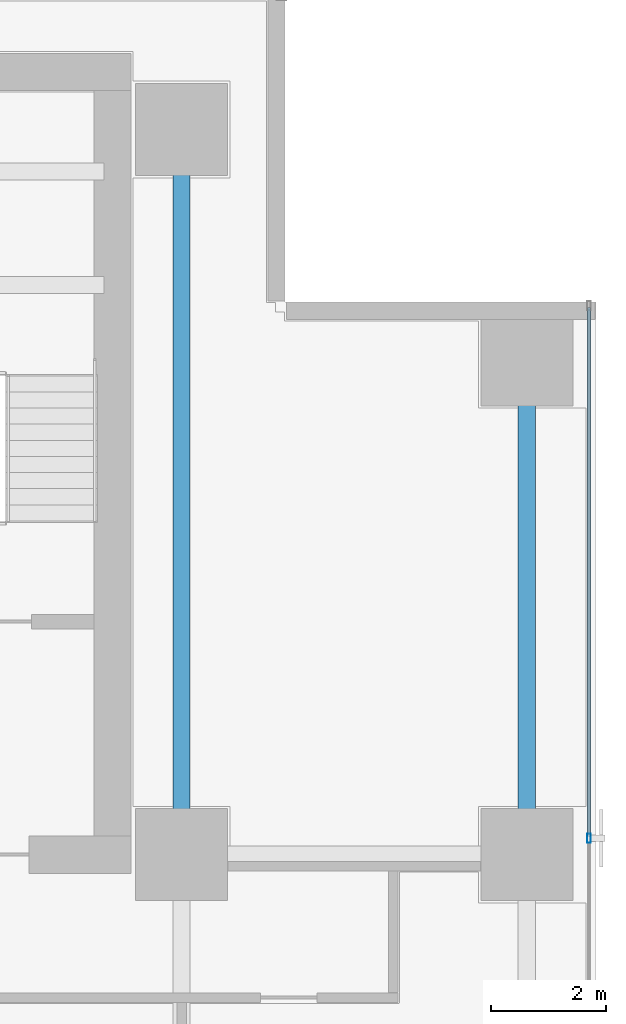
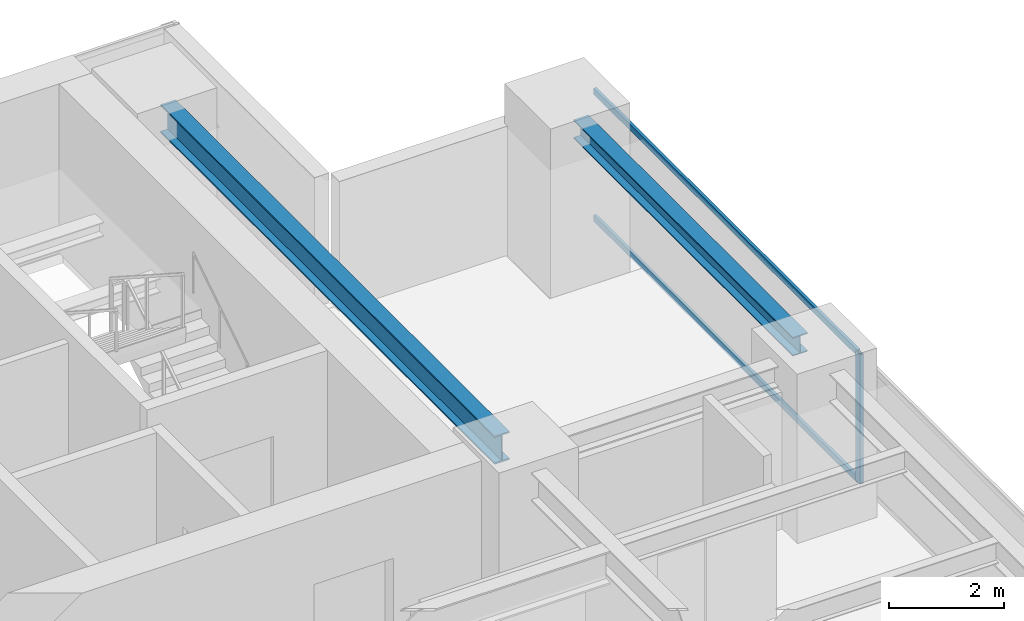
# One storey, part 18 of 27: 3 members, 2 beams, 1 element without a shape of its own.
"""IFC4 building model written with IfcOpenShell, lengths in metres."""

from ifc_helpers import new_model, si_unit, direction, frame, origin, origin_2d, place, context, subcontext, project, spatial, hollow_rectangle, i_section, extrude, source, transform, mapped, material, layer, layer_set, material_profile, profile_set, type_object, element, aggregate, save


model = new_model("IFC4")

# Units and contexts
model_context = context("Model", 3, precision=1e-05, world=origin(), true_north=direction((0.0, 1.0)))
body_context = subcontext(model_context, "Body", "Model", "MODEL_VIEW")
ifc_project = project(units=[si_unit("LENGTHUNIT", "METRE"), si_unit("AREAUNIT", "SQUARE_METRE"), si_unit("VOLUMEUNIT", "CUBIC_METRE"), si_unit("PLANEANGLEUNIT", "RADIAN"), si_unit("MASSUNIT", "GRAM", prefix="KILO")], contexts=[model_context])

# Site, building, storey
site_placement = place(None, origin())
site = spatial("IfcSite", under=ifc_project, at=site_placement, CompositionType="ELEMENT")
building_placement = place(site_placement, origin())
building = spatial("IfcBuilding", under=site, at=building_placement, Name="Sumidabori Civic Tower", CompositionType="ELEMENT")
storey_placement = place(building_placement, frame((0.0, 0.0, 160.39990234375)))
storey = spatial("IfcBuildingStorey", under=building, at=storey_placement, Name="L41", CompositionType="ELEMENT", Elevation=160.39990234375)

# Beams
ifc_material_1 = material(Name="Steel SN490", Category="steel")
ifc_material_profile_1 = material_profile(ifc_material_1, i_section(OverallWidth=0.300048828125, OverallDepth=0.39990234375, WebThickness=0.013427734375, FlangeThickness=0.02392578125, at=origin_2d()), Name="HE 400 B")
ifc_profile_set_1 = profile_set([ifc_material_profile_1], Name="Steel SN490")
beam_type_1 = type_object("IfcBeamType", Name="BM-GIRD-400", PredefinedType="BEAM", material=ifc_profile_set_1)
shared_shape_1 = source(origin(), body_context, "Body", "SweptSolid", [
    extrude(i_section(OverallWidth=0.300048828125, OverallDepth=0.39990234375, WebThickness=0.013427734375, FlangeThickness=0.02392578125, at=origin_2d()), origin(), (0.0, 0.0, 1.0), 7.64013671875),
])
beam_1_placement = place(storey_placement, frame((22.800048828125, 10.679931640625, 3.18017578125), z_axis=(0.0, 1.0, 0.0), x_axis=(-1.0, 0.0, 0.0)))
element("IfcBeam", 1, at=beam_1_placement, inside=storey, type_object=beam_type_1, Name="Primary Girder L41 GY-38", PredefinedType="BEAM", context=body_context, shape_type="MappedRepresentation", body=[
    mapped(shared_shape_1, transform((0.0, 0.0, 0.0), x_axis=(1.0, 0.0, 0.0), y_axis=(0.0, 1.0, 0.0), z_axis=(0.0, 0.0, 1.0), scale=1.0)),
])
ifc_material_profile_2 = material_profile(ifc_material_1, i_section(OverallWidth=0.300048828125, OverallDepth=0.60009765625, WebThickness=0.015380859375, FlangeThickness=0.030029296875, at=origin_2d()), Name="HE 600 B")
ifc_profile_set_2 = profile_set([ifc_material_profile_2], Name="Steel SN490")
beam_type_2 = type_object("IfcBeamType", Name="BM-GIRD-600", PredefinedType="BEAM", material=ifc_profile_set_2)
shared_shape_2 = source(origin(), body_context, "Body", "SweptSolid", [
    extrude(i_section(OverallWidth=0.300048828125, OverallDepth=0.60009765625, WebThickness=0.015380859375, FlangeThickness=0.030029296875, at=origin_2d()), origin(), (0.0, 0.0, 1.0), 11.64013671875),
])
beam_2_placement = place(storey_placement, frame((16.800048828125, 10.679931640625, 3.080078125), z_axis=(0.0, 1.0, 0.0), x_axis=(-1.0, 0.0, 0.0)))
element("IfcBeam", 2, at=beam_2_placement, inside=storey, type_object=beam_type_2, Name="Primary Girder L41 GY-35", PredefinedType="BEAM", context=body_context, shape_type="MappedRepresentation", body=[
    mapped(shared_shape_2, transform((0.0, 0.0, 0.0), x_axis=(1.0, 0.0, 0.0), y_axis=(0.0, 1.0, 0.0), z_axis=(0.0, 0.0, 1.0), scale=1.0)),
])

# Curtain wall, members
ifc_material_2 = material(Name="Anodised Bronze Aluminium AW-6063-T6", Category="aluminium")
ifc_layer = layer(ifc_material_2, 0.179931640625, Name="Anodised Bronze Aluminium AW-6063-T6")
ifc_layer_set = layer_set([ifc_layer], Name="Anodised Bronze Aluminium AW-6063-T6")
curtain_wall_type = type_object("IfcCurtainWallType", Name="CW-SYS-3", PredefinedType="NOTDEFINED", material=ifc_layer_set)
curtain_wall_placement = place(storey_placement, origin())
curtain_wall = element("IfcCurtainWall", 3, at=curtain_wall_placement, inside=storey, type_object=curtain_wall_type, Name="Curtain Wall CW:L41:R04", PredefinedType="NOTDEFINED")
ifc_material_profile_3 = material_profile(ifc_material_2, hollow_rectangle(XDim=0.06494140625, YDim=0.159912109375, WallThickness=0.0048828125, at=origin_2d()), Name="ALU MULLION 160x65")
ifc_profile_set_3 = profile_set([ifc_material_profile_3], Name="Anodised Bronze Aluminium AW-6063-T6")
member_type_1 = type_object("IfcMemberType", Name="CW-MUL-160", PredefinedType="MULLION", material=ifc_profile_set_3)
shared_shape_3 = source(origin(), body_context, "Body", "SweptSolid", [
    extrude(hollow_rectangle(XDim=0.06494140625, YDim=0.159912109375, WallThickness=0.0048828125, at=origin_2d()), origin(), (0.0, 0.0, 1.0), 2.760009765625),
])
member_1_placement = place(storey_placement, frame((23.8798828125, 10.485107421875, 0.0), z_axis=(0.0, 0.0, 1.0), x_axis=(-1.0, 0.0, 0.0)))
member_1 = element("IfcMember", 4, at=member_1_placement, type_object=member_type_1, Name="CW-3 mullion 4", PredefinedType="MULLION", context=body_context, shape_type="MappedRepresentation", body=[
    mapped(shared_shape_3, transform((0.0, 0.0, 0.0), x_axis=(1.0, 0.0, 0.0), y_axis=(0.0, 1.0, 0.0), z_axis=(0.0, 0.0, 1.0), scale=1.0)),
])
ifc_material_profile_4 = material_profile(ifc_material_2, hollow_rectangle(XDim=0.06005859375, YDim=0.1298828125, WallThickness=0.0048828125, at=origin_2d()), Name="ALU TRANSOM 130x60")
ifc_profile_set_4 = profile_set([ifc_material_profile_4], Name="Anodised Bronze Aluminium AW-6063-T6")
member_type_2 = type_object("IfcMemberType", Name="CW-TRN-130", PredefinedType="USERDEFINED", material=ifc_profile_set_4)
shared_shape_4 = source(origin(), body_context, "Body", "SweptSolid", [
    extrude(hollow_rectangle(XDim=0.06005859375, YDim=0.1298828125, WallThickness=0.0048828125, at=origin_2d()), origin(), (0.0, 0.0, 1.0), 9.1875),
])
member_2_placement = place(storey_placement, frame((23.8798828125, 10.517578125, 0.030029296875), z_axis=(0.0, 1.0, 0.0), x_axis=(-1.0, 0.0, 0.0)))
member_2 = element("IfcMember", 5, at=member_2_placement, type_object=member_type_2, Name="CW-3 transom 4.1", ObjectType="TRANSOM", PredefinedType="USERDEFINED", context=body_context, shape_type="MappedRepresentation", body=[
    mapped(shared_shape_4, transform((0.0, 0.0, 0.0), x_axis=(1.0, 0.0, 0.0), y_axis=(0.0, 1.0, 0.0), z_axis=(0.0, 0.0, 1.0), scale=1.0)),
])
member_3_placement = place(storey_placement, frame((23.8798828125, 10.517578125, 2.72998046875), z_axis=(0.0, 1.0, 0.0), x_axis=(-1.0, 0.0, 0.0)))
member_3 = element("IfcMember", 6, at=member_3_placement, type_object=member_type_2, Name="CW-3 transom 4.2", ObjectType="TRANSOM", PredefinedType="USERDEFINED", context=body_context, shape_type="MappedRepresentation", body=[
    mapped(shared_shape_4, transform((0.0, 0.0, 0.0), x_axis=(1.0, 0.0, 0.0), y_axis=(0.0, 1.0, 0.0), z_axis=(0.0, 0.0, 1.0), scale=1.0)),
])
aggregate(curtain_wall, [member_1, member_2, member_3])

save(model, "model.ifc")
